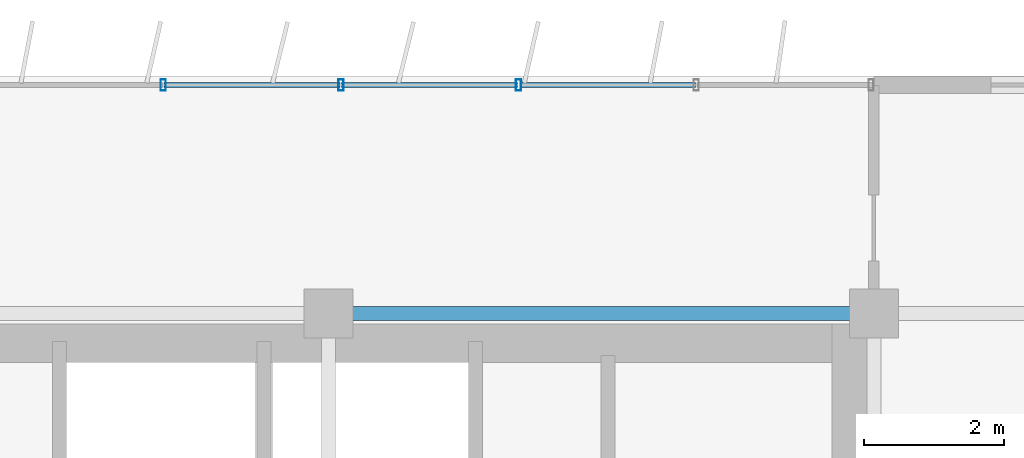
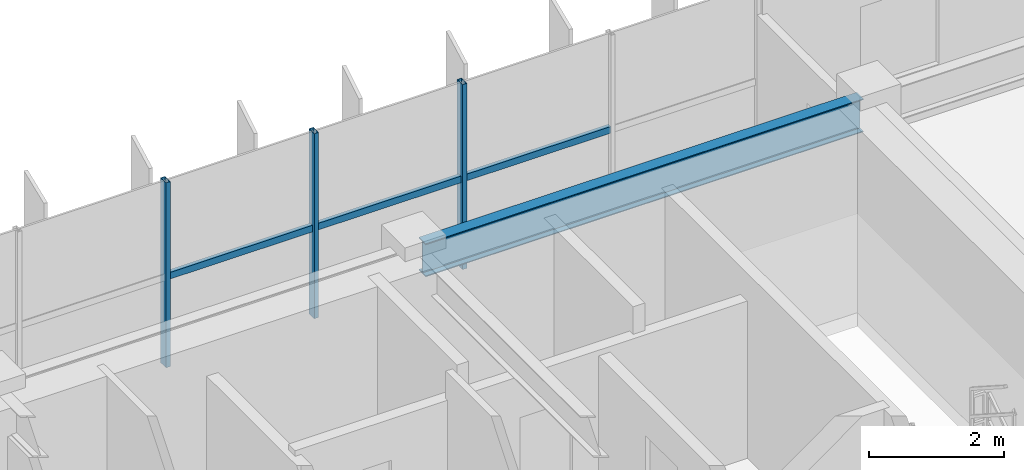
# One storey, part 10 of 20: 6 members, 1 beam, 1 element without a shape of its own.
"""IFC4 building model written with IfcOpenShell, lengths in metres."""

from ifc_helpers import new_model, si_unit, direction, frame, origin, origin_2d, place, context, subcontext, project, spatial, hollow_rectangle, i_section, extrude, source, transform, mapped, material, material_profile, profile_set, type_object, element, aggregate, save


model = new_model("IFC4")

# Units and contexts
model_context = context("Model", 3, precision=1e-05, world=origin(), true_north=direction((0.0, 1.0)))
body_context = subcontext(model_context, "Body", "Model", "MODEL_VIEW")
ifc_project = project(units=[si_unit("LENGTHUNIT", "METRE"), si_unit("AREAUNIT", "SQUARE_METRE"), si_unit("VOLUMEUNIT", "CUBIC_METRE"), si_unit("PLANEANGLEUNIT", "RADIAN"), si_unit("MASSUNIT", "GRAM", prefix="KILO")], contexts=[model_context])

# Site, building, storey
site_placement = place(None, origin())
site = spatial("IfcSite", under=ifc_project, at=site_placement, CompositionType="ELEMENT")
building_placement = place(site_placement, origin())
building = spatial("IfcBuilding", under=site, at=building_placement, Name="Trelvane Seafront Commons", CompositionType="ELEMENT")
storey_placement = place(building_placement, frame((0.0, 0.0, 171.699951171875)))
storey = spatial("IfcBuildingStorey", under=building, at=storey_placement, Name="L45", CompositionType="ELEMENT", Elevation=171.699951171875)

# Beam
ifc_material_1 = material(Name="Steel SM355 (S355)", Category="steel")
ifc_material_profile_1 = material_profile(ifc_material_1, i_section(OverallWidth=0.199951171875, OverallDepth=0.60009765625, WebThickness=0.010986328125, FlangeThickness=0.01708984375, at=origin_2d()), Name="H-600x200x11x17")
ifc_profile_set_1 = profile_set([ifc_material_profile_1], Name="Steel SM355 (S355)")
beam_type = type_object("IfcBeamType", Name="STR-SPD-H600", PredefinedType="SPANDREL", material=ifc_profile_set_1)
shared_shape_1 = source(origin(), body_context, "Body", "SweptSolid", [
    extrude(i_section(OverallWidth=0.199951171875, OverallDepth=0.60009765625, WebThickness=0.010986328125, FlangeThickness=0.01708984375, at=origin_2d()), origin(), (0.0, 0.0, 1.0), 7.5),
])
beam_placement = place(storey_placement, frame((51.14990234375, 45.10009765625, 3.050048828125), z_axis=(1.0, 0.0, 0.0), x_axis=(0.0, 1.0, 0.0)))
element("IfcBeam", 1, at=beam_placement, inside=storey, type_object=beam_type, Name="L45 Primary Girder G-27", PredefinedType="SPANDREL", context=body_context, shape_type="MappedRepresentation", body=[
    mapped(shared_shape_1, transform((0.0, 0.0, 0.0), x_axis=(1.0, 0.0, 0.0), y_axis=(0.0, 1.0, 0.0), z_axis=(0.0, 0.0, 1.0), scale=1.0)),
])

# Curtain wall, members
ifc_material_2 = material(Name="Anodised pale-silver aluminium", Category="aluminium")
curtain_wall_type = type_object("IfcCurtainWallType", Name="ARCH-CW5-UPTOWER", PredefinedType="NOTDEFINED", material=ifc_material_2)
curtain_wall_placement = place(storey_placement, origin())
curtain_wall = element("IfcCurtainWall", 2, at=curtain_wall_placement, inside=storey, type_object=curtain_wall_type, Name="CW-L45-0072", PredefinedType="NOTDEFINED")
ifc_material_profile_2 = material_profile(ifc_material_2, hollow_rectangle(XDim=0.070068359375, YDim=0.1201171875, WallThickness=0.00390625, at=origin_2d()), Name="TRAN-70x120x4")
ifc_profile_set_2 = profile_set([ifc_material_profile_2], Name="Anodised pale-silver aluminium")
member_type_1 = type_object("IfcMemberType", Name="ARCH-CW-TRAN-120", PredefinedType="USERDEFINED", material=ifc_profile_set_2)
shared_shape_2 = source(origin(), body_context, "Body", "SweptSolid", [
    extrude(hollow_rectangle(XDim=0.070068359375, YDim=0.1201171875, WallThickness=0.00390625, at=origin_2d()), origin(), (0.0, 0.0, 1.0), 2.51708984375),
])
member_1_placement = place(storey_placement, frame((51.1884765625, 48.3701171875, 1.608154296875), z_axis=(1.0, 0.0, 0.0), x_axis=(0.0, 1.0, 0.0)))
member_1 = element("IfcMember", 3, at=member_1_placement, type_object=member_type_1, Name="CW-L45-0072-T14", ObjectType="TRANSOM", PredefinedType="USERDEFINED", context=body_context, shape_type="MappedRepresentation", body=[
    mapped(shared_shape_2, transform((0.0, 0.0, 0.0), x_axis=(1.0, 0.0, 0.0), y_axis=(0.0, 1.0, 0.0), z_axis=(0.0, 0.0, 1.0), scale=1.0)),
])
shared_shape_3 = source(origin(), body_context, "Body", "SweptSolid", [
    extrude(hollow_rectangle(XDim=0.070068359375, YDim=0.1201171875, WallThickness=0.00390625, at=origin_2d()), origin(), (0.0, 0.0, 1.0), 2.517333984375),
])
member_2_placement = place(storey_placement, frame((48.647216796875, 48.3701171875, 1.608154296875), z_axis=(1.0, 0.0, 0.0), x_axis=(0.0, 1.0, 0.0)))
member_2 = element("IfcMember", 4, at=member_2_placement, type_object=member_type_1, Name="CW-L45-0072-T13", ObjectType="TRANSOM", PredefinedType="USERDEFINED", context=body_context, shape_type="MappedRepresentation", body=[
    mapped(shared_shape_3, transform((0.0, 0.0, 0.0), x_axis=(1.0, 0.0, 0.0), y_axis=(0.0, 1.0, 0.0), z_axis=(0.0, 0.0, 1.0), scale=1.0)),
])
member_3_placement = place(storey_placement, frame((53.7294921875, 48.3701171875, 1.608154296875), z_axis=(1.0, 0.0, 0.0), x_axis=(0.0, 1.0, 0.0)))
member_3 = element("IfcMember", 5, at=member_3_placement, type_object=member_type_1, Name="CW-L45-0072-T15", ObjectType="TRANSOM", PredefinedType="USERDEFINED", context=body_context, shape_type="MappedRepresentation", body=[
    mapped(shared_shape_3, transform((0.0, 0.0, 0.0), x_axis=(1.0, 0.0, 0.0), y_axis=(0.0, 1.0, 0.0), z_axis=(0.0, 0.0, 1.0), scale=1.0)),
])
ifc_material_profile_3 = material_profile(ifc_material_2, hollow_rectangle(XDim=0.074951171875, YDim=0.159912109375, WallThickness=0.00390625, at=origin_2d()), Name="MULL-75x160x4")
ifc_profile_set_3 = profile_set([ifc_material_profile_3], Name="Anodised pale-silver aluminium")
member_type_2 = type_object("IfcMemberType", Name="ARCH-CW-MULL-160", PredefinedType="MULLION", material=ifc_profile_set_3)
shared_shape_4 = source(origin(), body_context, "Body", "SweptSolid", [
    extrude(hollow_rectangle(XDim=0.074951171875, YDim=0.159912109375, WallThickness=0.00390625, at=origin_2d()), origin(), (0.0, 0.0, 1.0), 3.35009765625),
])
member_4_placement = place(storey_placement, frame((48.63525390625, 48.3701171875, 0.0), z_axis=(0.0, 0.0, 1.0), x_axis=(1.0, 0.0, 0.0)))
member_4 = element("IfcMember", 6, at=member_4_placement, type_object=member_type_2, Name="CW-L45-0072-M13", PredefinedType="MULLION", context=body_context, shape_type="MappedRepresentation", body=[
    mapped(shared_shape_4, transform((0.0, 0.0, 0.0), x_axis=(1.0, 0.0, 0.0), y_axis=(0.0, 1.0, 0.0), z_axis=(0.0, 0.0, 1.0), scale=1.0)),
])
member_5_placement = place(storey_placement, frame((51.176513671875, 48.3701171875, 0.0), z_axis=(0.0, 0.0, 1.0), x_axis=(1.0, 0.0, 0.0)))
member_5 = element("IfcMember", 7, at=member_5_placement, type_object=member_type_2, Name="CW-L45-0072-M14", PredefinedType="MULLION", context=body_context, shape_type="MappedRepresentation", body=[
    mapped(shared_shape_4, transform((0.0, 0.0, 0.0), x_axis=(1.0, 0.0, 0.0), y_axis=(0.0, 1.0, 0.0), z_axis=(0.0, 0.0, 1.0), scale=1.0)),
])
member_6_placement = place(storey_placement, frame((53.717529296875, 48.3701171875, 0.0), z_axis=(0.0, 0.0, 1.0), x_axis=(1.0, 0.0, 0.0)))
member_6 = element("IfcMember", 8, at=member_6_placement, type_object=member_type_2, Name="CW-L45-0072-M15", PredefinedType="MULLION", context=body_context, shape_type="MappedRepresentation", body=[
    mapped(shared_shape_4, transform((0.0, 0.0, 0.0), x_axis=(1.0, 0.0, 0.0), y_axis=(0.0, 1.0, 0.0), z_axis=(0.0, 0.0, 1.0), scale=1.0)),
])
aggregate(curtain_wall, [member_4, member_5, member_6, member_2, member_1, member_3])

save(model, "model.ifc")
